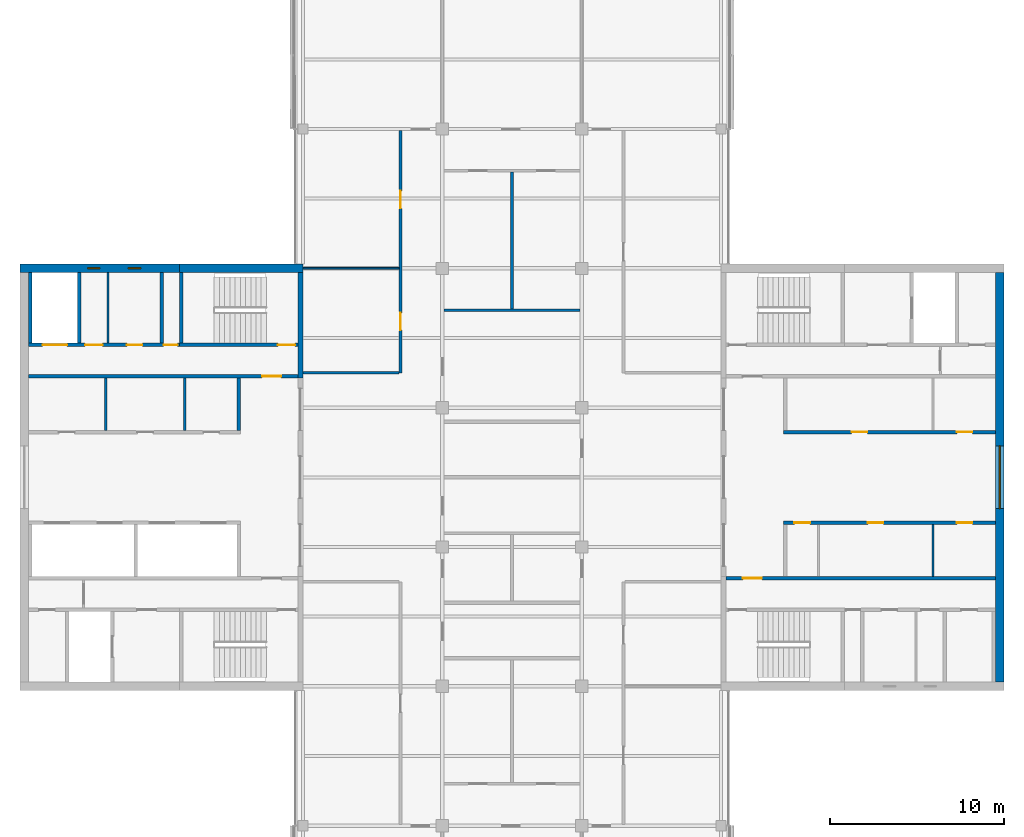
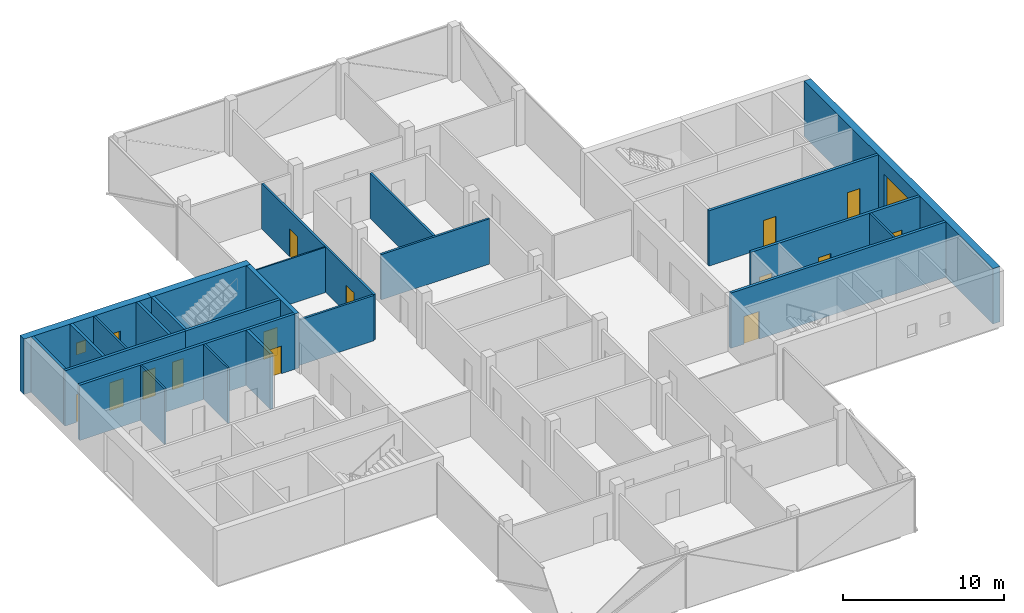
# One storey, part 11 of 16: 24 walls, 14 doors, 3 windows, 17 openings.
"""IFC4 building model written with IfcOpenShell, lengths in metres."""

from ifc_helpers import new_model, si_unit, direction, frame, frame_2d, origin, place, context, subcontext, project, spatial, rectangle, extrude, material, layer, layer_set, constituent, constituent_set, type_object, element, fill, save


model = new_model("IFC4")

# Units and contexts
model_context = context("Model", 3, precision=1e-05, world=origin(), true_north=direction((0.0, 1.0)))
body_context = subcontext(model_context, "Body", "Model", "MODEL_VIEW")
ifc_project = project(units=[si_unit("LENGTHUNIT", "METRE"), si_unit("AREAUNIT", "SQUARE_METRE"), si_unit("VOLUMEUNIT", "CUBIC_METRE"), si_unit("PLANEANGLEUNIT", "RADIAN"), si_unit("MASSUNIT", "GRAM", prefix="KILO")], contexts=[model_context])

# Site, building, storey
site_placement = place(None, origin())
site = spatial("IfcSite", under=ifc_project, at=site_placement, CompositionType="ELEMENT")
building_placement = place(site_placement, origin())
building = spatial("IfcBuilding", under=site, at=building_placement, Name="Crosswind Convention Tower", CompositionType="ELEMENT")
storey_placement = place(building_placement, frame((0.0, 0.0, 249.300048828125)))
storey = spatial("IfcBuildingStorey", under=building, at=storey_placement, Name="L53", CompositionType="ELEMENT", Elevation=249.300048828125)

# Walls
ifc_material_1 = material(Name="Concrete blockwork", Category="masonry")
ifc_layer_1 = layer(ifc_material_1, 0.199951171875)
ifc_layer_set_1 = layer_set([ifc_layer_1], Name="Blockwork partition wall 200")
wall_type_1 = type_object("IfcWallType", Name="Blockwork partition wall 200", PredefinedType="PARTITIONING", material=ifc_layer_set_1)
wall_1_placement = place(storey_placement, frame((104.89990234375, 111.75, 0.0), z_axis=(0.0, 0.0, 1.0), x_axis=(0.0, -1.0, 0.0)))
element("IfcWall", 1, at=wall_1_placement, inside=storey, type_object=wall_type_1, Name="Wall MRSE W L53", PredefinedType="PARTITIONING", context=body_context, shape_type="SweptSolid", body=[
    extrude(rectangle(XDim=4.050048828125, YDim=0.199951171875, at=frame_2d((2.02490234375, 0.0))), origin(), (0.0, 0.0, 1.0), 4.199951171875),
])
ifc_material_2 = material(Name="Concrete C50/60", Category="concrete")
ifc_layer_2 = layer(ifc_material_2, 0.300048828125)
ifc_layer_set_2 = layer_set([ifc_layer_2], Name="Concrete C50/60")
wall_type_2 = type_object("IfcWallType", Name="Concrete inner core wall 300", PredefinedType="SHEAR", material=ifc_layer_set_2)
wall_2_placement = place(storey_placement, frame((112.85009765625, 111.75, 0.0), z_axis=(0.0, 0.0, 1.0), x_axis=(0.0, -1.0, 0.0)))
element("IfcWall", 2, at=wall_2_placement, inside=storey, type_object=wall_type_2, Name="Wall EM W L53", PredefinedType="SHEAR", context=body_context, shape_type="SweptSolid", body=[
    extrude(rectangle(XDim=6.050048828125, YDim=0.300048828125, at=frame_2d((3.02490234375, 0.0))), origin(), (0.0, 0.0, 1.0), 4.199951171875),
])

# Wall, openings, doors
ifc_layer_3 = layer(ifc_material_2, 0.199951171875)
ifc_layer_set_3 = layer_set([ifc_layer_3], Name="Concrete C50/60")
wall_type_3 = type_object("IfcWallType", Name="Concrete shaft and stair wall 200", PredefinedType="SHEAR", material=ifc_layer_set_3)
wall_3_placement = place(storey_placement, frame((140.60009765625, 102.60009765625, 0.0), z_axis=(0.0, 0.0, 1.0), x_axis=(1.0, 0.0, 0.0)))
wall_3 = element("IfcWall", 3, at=wall_3_placement, inside=storey, type_object=wall_type_3, Name="Wall RPFRONT E L53", PredefinedType="SHEAR", context=body_context, shape_type="SweptSolid", body=[
    extrude(rectangle(XDim=12.14990234375, YDim=0.199951171875, at=frame_2d((6.074951171875, 0.0))), origin(), (0.0, 0.0, 1.0), 4.199951171875),
])
opening_1_placement = place(wall_3_placement, frame((3.9013671875, 0.0, 0.0)))
opening_1 = element("IfcOpeningElement", 4, at=opening_1_placement, cuts=wall_3, Name="Opening D106", PredefinedType="OPENING", context=body_context, shape_type="SweptSolid", body=[
    extrude(rectangle(XDim=0.89990234375, YDim=2.10009765625, at=frame_2d((0.449951171875, 1.050048828125))), frame((0.0, 0.10986328125, 0.0), z_axis=(0.0, -1.0, 0.0), x_axis=(1.0, 0.0, 0.0)), (0.0, 0.0, 1.0), 0.219970703125),
])
opening_2_placement = place(wall_3_placement, frame((9.938720703125, 0.0, 0.0)))
opening_2 = element("IfcOpeningElement", 5, at=opening_2_placement, cuts=wall_3, Name="Opening D106", PredefinedType="OPENING", context=body_context, shape_type="SweptSolid", body=[
    extrude(rectangle(XDim=0.89990234375, YDim=2.10009765625, at=frame_2d((0.449951171875, 1.050048828125))), frame((0.0, 0.10986328125, 0.0), z_axis=(0.0, -1.0, 0.0), x_axis=(1.0, 0.0, 0.0)), (0.0, 0.0, 1.0), 0.219970703125),
])
ifc_material_3 = material(Name="Timber door", Category="wood")
door_type_1 = type_object("IfcDoorType", Name="Single leaf door 900x2100", OperationType="NOTDEFINED", PredefinedType="DOOR", material=ifc_material_3)
door_1_placement = place(opening_1_placement, origin())
door_1 = element("IfcDoor", 6, at=door_1_placement, inside=storey, type_object=door_type_1, Name="Door to telecoms room L53", ObjectType="D106", OperationType="SINGLE_SWING_RIGHT", OverallHeight=2.10009765625, OverallWidth=0.89990234375, PredefinedType="DOOR", context=body_context, shape_type="SweptSolid", body=[
    extrude(rectangle(XDim=0.89990234375, YDim=2.10009765625, at=frame_2d((0.449951171875, 1.050048828125))), frame((0.0, 0.02490234375, 0.0), z_axis=(0.0, -1.0, 0.0), x_axis=(1.0, 0.0, 0.0)), (0.0, 0.0, 1.0), 0.050048828125),
])
fill(opening_1, door_1)
door_2_placement = place(opening_2_placement, origin())
door_2 = element("IfcDoor", 7, at=door_2_placement, inside=storey, type_object=door_type_1, Name="Door to storeroom L53", ObjectType="D106", OperationType="SINGLE_SWING_RIGHT", OverallHeight=2.10009765625, OverallWidth=0.89990234375, PredefinedType="DOOR", context=body_context, shape_type="SweptSolid", body=[
    extrude(rectangle(XDim=0.89990234375, YDim=2.10009765625, at=frame_2d((0.449951171875, 1.050048828125))), frame((0.0, 0.02490234375, 0.0), z_axis=(0.0, -1.0, 0.0), x_axis=(1.0, 0.0, 0.0)), (0.0, 0.0, 1.0), 0.050048828125),
])
fill(opening_2, door_2)

wall_4_placement = place(storey_placement, frame((140.60009765625, 97.39990234375, 0.0), z_axis=(0.0, 0.0, 1.0), x_axis=(1.0, 0.0, 0.0)))
wall_4 = element("IfcWall", 8, at=wall_4_placement, inside=storey, type_object=wall_type_3, Name="Wall RMFRONT E L53", PredefinedType="SHEAR", context=body_context, shape_type="SweptSolid", body=[
    extrude(rectangle(XDim=12.14990234375, YDim=0.199951171875, at=frame_2d((6.074951171875, 0.0))), origin(), (0.0, 0.0, 1.0), 4.199951171875),
])
opening_3_placement = place(wall_4_placement, frame((0.614990234375, 0.0, 0.0)))
opening_3 = element("IfcOpeningElement", 9, at=opening_3_placement, cuts=wall_4, Name="Opening D106", PredefinedType="OPENING", context=body_context, shape_type="SweptSolid", body=[
    extrude(rectangle(XDim=0.89990234375, YDim=2.10009765625, at=frame_2d((0.449951171875, 1.050048828125))), frame((0.0, 0.10986328125, 0.0), z_axis=(0.0, -1.0, 0.0), x_axis=(1.0, 0.0, 0.0)), (0.0, 0.0, 1.0), 0.219970703125),
])
opening_4_placement = place(wall_4_placement, frame((4.828857421875, 0.0, 0.0)))
opening_4 = element("IfcOpeningElement", 10, at=opening_4_placement, cuts=wall_4, Name="Opening D106", PredefinedType="OPENING", context=body_context, shape_type="SweptSolid", body=[
    extrude(rectangle(XDim=0.89990234375, YDim=2.10009765625, at=frame_2d((0.449951171875, 1.050048828125))), frame((0.0, 0.10986328125, 0.0), z_axis=(0.0, -1.0, 0.0), x_axis=(1.0, 0.0, 0.0)), (0.0, 0.0, 1.0), 0.219970703125),
])
opening_5_placement = place(wall_4_placement, frame((9.938720703125, 0.0, 0.0)))
opening_5 = element("IfcOpeningElement", 11, at=opening_5_placement, cuts=wall_4, Name="Opening D106", PredefinedType="OPENING", context=body_context, shape_type="SweptSolid", body=[
    extrude(rectangle(XDim=0.89990234375, YDim=2.10009765625, at=frame_2d((0.449951171875, 1.050048828125))), frame((0.0, 0.10986328125, 0.0), z_axis=(0.0, -1.0, 0.0), x_axis=(1.0, 0.0, 0.0)), (0.0, 0.0, 1.0), 0.219970703125),
])
door_3_placement = place(opening_3_placement, frame((0.89990234375, 0.0, 0.0), z_axis=(0.0, 0.0, 1.0), x_axis=(-1.0, 0.0, 0.0)))
door_3 = element("IfcDoor", 12, at=door_3_placement, inside=storey, type_object=door_type_1, Name="Door to storeroom L53", ObjectType="D106", OperationType="SINGLE_SWING_LEFT", OverallHeight=2.10009765625, OverallWidth=0.89990234375, PredefinedType="DOOR", context=body_context, shape_type="SweptSolid", body=[
    extrude(rectangle(XDim=0.89990234375, YDim=2.10009765625, at=frame_2d((0.449951171875, 1.050048828125))), frame((0.0, 0.02490234375, 0.0), z_axis=(0.0, -1.0, 0.0), x_axis=(1.0, 0.0, 0.0)), (0.0, 0.0, 1.0), 0.050048828125),
])
fill(opening_3, door_3)
door_4_placement = place(opening_4_placement, frame((0.89990234375, 0.0, 0.0), z_axis=(0.0, 0.0, 1.0), x_axis=(-1.0, 0.0, 0.0)))
door_4 = element("IfcDoor", 13, at=door_4_placement, inside=storey, type_object=door_type_1, Name="Door to tenant services room L53", ObjectType="D106", OperationType="SINGLE_SWING_LEFT", OverallHeight=2.10009765625, OverallWidth=0.89990234375, PredefinedType="DOOR", context=body_context, shape_type="SweptSolid", body=[
    extrude(rectangle(XDim=0.89990234375, YDim=2.10009765625, at=frame_2d((0.449951171875, 1.050048828125))), frame((0.0, 0.02490234375, 0.0), z_axis=(0.0, -1.0, 0.0), x_axis=(1.0, 0.0, 0.0)), (0.0, 0.0, 1.0), 0.050048828125),
])
fill(opening_4, door_4)
door_5_placement = place(opening_5_placement, frame((0.89990234375, 0.0, 0.0), z_axis=(0.0, 0.0, 1.0), x_axis=(-1.0, 0.0, 0.0)))
door_5 = element("IfcDoor", 14, at=door_5_placement, inside=storey, type_object=door_type_1, Name="Door to copy and print room L53", ObjectType="D106", OperationType="SINGLE_SWING_LEFT", OverallHeight=2.10009765625, OverallWidth=0.89990234375, PredefinedType="DOOR", context=body_context, shape_type="SweptSolid", body=[
    extrude(rectangle(XDim=0.89990234375, YDim=2.10009765625, at=frame_2d((0.449951171875, 1.050048828125))), frame((0.0, 0.02490234375, 0.0), z_axis=(0.0, -1.0, 0.0), x_axis=(1.0, 0.0, 0.0)), (0.0, 0.0, 1.0), 0.050048828125),
])
fill(opening_5, door_5)

# Wall, opening, door
wall_5_placement = place(storey_placement, frame((137.300048828125, 94.199951171875, 0.0), z_axis=(0.0, 0.0, 1.0), x_axis=(1.0, 0.0, 0.0)))
wall_5 = element("IfcWall", 15, at=wall_5_placement, inside=storey, type_object=wall_type_3, Name="Wall HM E L53", PredefinedType="SHEAR", context=body_context, shape_type="SweptSolid", body=[
    extrude(rectangle(XDim=15.449951171875, YDim=0.199951171875, at=frame_2d((7.72509765625, 0.0))), origin(), (0.0, 0.0, 1.0), 4.199951171875),
])
opening_6_placement = place(wall_5_placement, frame((0.949951171875, 0.0, 0.0)))
opening_6 = element("IfcOpeningElement", 16, at=opening_6_placement, cuts=wall_5, Name="Opening D104", PredefinedType="OPENING", context=body_context, shape_type="SweptSolid", body=[
    extrude(rectangle(XDim=1.10009765625, YDim=2.10009765625, at=frame_2d((0.550048828125, 1.050048828125))), frame((0.0, 0.10986328125, 0.0), z_axis=(0.0, -1.0, 0.0), x_axis=(1.0, 0.0, 0.0)), (0.0, 0.0, 1.0), 0.219970703125),
])
ifc_material_4 = material(Name="Steel fire door", Category="steel")
door_type_2 = type_object("IfcDoorType", Name="Fire-rated single door 1100x2100", OperationType="NOTDEFINED", PredefinedType="DOOR", material=ifc_material_4)
door_6_placement = place(opening_6_placement, origin())
door_6 = element("IfcDoor", 17, at=door_6_placement, inside=storey, type_object=door_type_2, Name="Corridor door L53", ObjectType="D104", OperationType="SINGLE_SWING_LEFT", OverallHeight=2.10009765625, OverallWidth=1.10009765625, PredefinedType="DOOR", context=body_context, shape_type="SweptSolid", body=[
    extrude(rectangle(XDim=1.10009765625, YDim=2.10009765625, at=frame_2d((0.550048828125, 1.050048828125))), frame((0.0, 0.02490234375, 0.0), z_axis=(0.0, -1.0, 0.0), x_axis=(1.0, 0.0, 0.0)), (0.0, 0.0, 1.0), 0.050048828125),
])
fill(opening_6, door_6)

# Wall
wall_6_placement = place(storey_placement, frame((109.300048828125, 105.699951171875, 0.0), z_axis=(0.0, 0.0, 1.0), x_axis=(0.0, -1.0, 0.0)))
element("IfcWall", 18, at=wall_6_placement, inside=storey, type_object=wall_type_3, Name="Wall RMEND W L53", PredefinedType="SHEAR", context=body_context, shape_type="SweptSolid", body=[
    extrude(rectangle(XDim=3.0, YDim=0.199951171875, at=frame_2d((1.5, 0.0))), origin(), (0.0, 0.0, 1.0), 4.199951171875),
])

# Wall, opening, door
wall_7_placement = place(storey_placement, frame((112.699951171875, 105.800048828125, 0.0), z_axis=(0.0, 0.0, 1.0), x_axis=(-1.0, 0.0, 0.0)))
wall_7 = element("IfcWall", 19, at=wall_7_placement, inside=storey, type_object=wall_type_3, Name="Wall HM W L53", PredefinedType="SHEAR", context=body_context, shape_type="SweptSolid", body=[
    extrude(rectangle(XDim=15.449951171875, YDim=0.199951171875, at=frame_2d((7.72509765625, 0.0))), origin(), (0.0, 0.0, 1.0), 4.199951171875),
])
opening_7_placement = place(wall_7_placement, frame((0.949951171875, 0.0, 0.0)))
opening_7 = element("IfcOpeningElement", 20, at=opening_7_placement, cuts=wall_7, Name="Opening D104", PredefinedType="OPENING", context=body_context, shape_type="SweptSolid", body=[
    extrude(rectangle(XDim=1.10009765625, YDim=2.10009765625, at=frame_2d((0.550048828125, 1.050048828125))), frame((0.0, 0.10986328125, 0.0), z_axis=(0.0, -1.0, 0.0), x_axis=(1.0, 0.0, 0.0)), (0.0, 0.0, 1.0), 0.219970703125),
])
door_7_placement = place(opening_7_placement, origin())
door_7 = element("IfcDoor", 21, at=door_7_placement, inside=storey, type_object=door_type_2, Name="Corridor door L53", ObjectType="D104", OperationType="SINGLE_SWING_LEFT", OverallHeight=2.10009765625, OverallWidth=1.10009765625, PredefinedType="DOOR", context=body_context, shape_type="SweptSolid", body=[
    extrude(rectangle(XDim=1.10009765625, YDim=2.10009765625, at=frame_2d((0.550048828125, 1.050048828125))), frame((0.0, 0.02490234375, 0.0), z_axis=(0.0, -1.0, 0.0), x_axis=(1.0, 0.0, 0.0)), (0.0, 0.0, 1.0), 0.050048828125),
])
fill(opening_7, door_7)

# Walls
for number, where, z_axis, x_axis, name in (
    (22, (106.0, 111.75, 0.0), (0.0, 0.0, 1.0), (0.0, -1.0, 0.0), "Wall MSE W L53"),
    (23, (100.14990234375, 111.75, 0.0), (0.0, 0.0, 1.0), (0.0, -1.0, 0.0), "Wall MFSW W L53"),
    (24, (97.35009765625, 111.75, 0.0), (0.0, 0.0, 1.0), (0.0, -1.0, 0.0), "Wall MFSE W L53"),
):
    element("IfcWall", number, at=place(storey_placement, frame(where, z_axis=z_axis, x_axis=x_axis)), inside=storey, type_object=wall_type_3, Name=name, PredefinedType="SHEAR", context=body_context, shape_type="SweptSolid", body=[
        extrude(rectangle(XDim=4.050048828125, YDim=0.199951171875, at=frame_2d((2.02490234375, 0.0))), origin(), (0.0, 0.0, 1.0), 4.199951171875),
    ])

# Wall, opening, door
wall_8_placement = place(storey_placement, frame((112.699951171875, 107.60009765625, 0.0), z_axis=(0.0, 0.0, 1.0), x_axis=(-1.0, 0.0, 0.0)))
wall_8 = element("IfcWall", 25, at=wall_8_placement, inside=storey, type_object=wall_type_3, Name="Wall MCW W L53", PredefinedType="SHEAR", context=body_context, shape_type="SweptSolid", body=[
    extrude(rectangle(XDim=6.800048828125, YDim=0.199951171875, at=frame_2d((3.39990234375, 0.0))), origin(), (0.0, 0.0, 1.0), 4.199951171875),
])
opening_8_placement = place(wall_8_placement, frame((0.14990234375, 0.0, 0.0)))
opening_8 = element("IfcOpeningElement", 26, at=opening_8_placement, cuts=wall_8, Name="Opening D103", PredefinedType="OPENING", context=body_context, shape_type="SweptSolid", body=[
    extrude(rectangle(XDim=1.0, YDim=2.10009765625, at=frame_2d((0.5, 1.050048828125))), frame((0.0, 0.10986328125, 0.0), z_axis=(0.0, -1.0, 0.0), x_axis=(1.0, 0.0, 0.0)), (0.0, 0.0, 1.0), 0.219970703125),
])
door_type_3 = type_object("IfcDoorType", Name="Fire-rated single door 1000x2100", OperationType="NOTDEFINED", PredefinedType="DOOR", material=ifc_material_4)
door_8_placement = place(opening_8_placement, frame((1.0, 0.0, 0.0), z_axis=(0.0, 0.0, 1.0), x_axis=(-1.0, 0.0, 0.0)))
door_8 = element("IfcDoor", 27, at=door_8_placement, inside=storey, type_object=door_type_3, Name="Stair ST4 door L53", ObjectType="D103", OperationType="SINGLE_SWING_RIGHT", OverallHeight=2.10009765625, OverallWidth=1.0, PredefinedType="DOOR", context=body_context, shape_type="SweptSolid", body=[
    extrude(rectangle(XDim=1.0, YDim=2.10009765625, at=frame_2d((0.5, 1.050048828125))), frame((0.0, 0.02490234375, 0.0), z_axis=(0.0, -1.0, 0.0), x_axis=(1.0, 0.0, 0.0)), (0.0, 0.0, 1.0), 0.050048828125),
])
fill(opening_8, door_8)

# Wall, openings, doors
wall_9_placement = place(storey_placement, frame((105.89990234375, 107.60009765625, 0.0), z_axis=(0.0, 0.0, 1.0), x_axis=(-1.0, 0.0, 0.0)))
wall_9 = element("IfcWall", 28, at=wall_9_placement, inside=storey, type_object=wall_type_3, Name="Wall MCX W L53", PredefinedType="SHEAR", context=body_context, shape_type="SweptSolid", body=[
    extrude(rectangle(XDim=8.64990234375, YDim=0.199951171875, at=frame_2d((4.324951171875, 0.0))), origin(), (0.0, 0.0, 1.0), 4.199951171875),
])
opening_9_placement = place(wall_9_placement, frame((0.10009765625, 0.0, 0.0)))
opening_9 = element("IfcOpeningElement", 29, at=opening_9_placement, cuts=wall_9, Name="Opening D105", PredefinedType="OPENING", context=body_context, shape_type="SweptSolid", body=[
    extrude(rectangle(XDim=0.800048828125, YDim=2.10009765625, at=frame_2d((0.39990234375, 1.050048828125))), frame((0.0, 0.10986328125, 0.0), z_axis=(0.0, -1.0, 0.0), x_axis=(1.0, 0.0, 0.0)), (0.0, 0.0, 1.0), 0.219970703125),
])
opening_10_placement = place(wall_9_placement, frame((2.120361328125, 0.0, 0.0)))
opening_10 = element("IfcOpeningElement", 30, at=opening_10_placement, cuts=wall_9, Name="Opening D106", PredefinedType="OPENING", context=body_context, shape_type="SweptSolid", body=[
    extrude(rectangle(XDim=0.89990234375, YDim=2.10009765625, at=frame_2d((0.449951171875, 1.050048828125))), frame((0.0, 0.10986328125, 0.0), z_axis=(0.0, -1.0, 0.0), x_axis=(1.0, 0.0, 0.0)), (0.0, 0.0, 1.0), 0.219970703125),
])
opening_11_placement = place(wall_9_placement, frame((4.40771484375, 0.0, 0.0)))
opening_11 = element("IfcOpeningElement", 31, at=opening_11_placement, cuts=wall_9, Name="Opening D103", PredefinedType="OPENING", context=body_context, shape_type="SweptSolid", body=[
    extrude(rectangle(XDim=1.0, YDim=2.10009765625, at=frame_2d((0.5, 1.050048828125))), frame((0.0, 0.10986328125, 0.0), z_axis=(0.0, -1.0, 0.0), x_axis=(1.0, 0.0, 0.0)), (0.0, 0.0, 1.0), 0.219970703125),
])
opening_12_placement = place(wall_9_placement, frame((6.449951171875, 0.0, 0.0)))
opening_12 = element("IfcOpeningElement", 32, at=opening_12_placement, cuts=wall_9, Name="Opening LD2", PredefinedType="OPENING", context=body_context, shape_type="SweptSolid", body=[
    extrude(rectangle(XDim=1.39990234375, YDim=2.10009765625, at=frame_2d((0.699951171875, 1.050048828125))), frame((0.0, 0.10986328125, 0.0), z_axis=(0.0, -1.0, 0.0), x_axis=(1.0, 0.0, 0.0)), (0.0, 0.0, 1.0), 0.219970703125),
])
door_9_placement = place(opening_11_placement, frame((1.0, 0.0, 0.0), z_axis=(0.0, 0.0, 1.0), x_axis=(-1.0, 0.0, 0.0)))
door_9 = element("IfcDoor", 33, at=door_9_placement, inside=storey, type_object=door_type_3, Name="Door to accessible wc L53", ObjectType="D103", OperationType="SINGLE_SWING_LEFT", OverallHeight=2.10009765625, OverallWidth=1.0, PredefinedType="DOOR", context=body_context, shape_type="SweptSolid", body=[
    extrude(rectangle(XDim=1.0, YDim=2.10009765625, at=frame_2d((0.5, 1.050048828125))), frame((0.0, 0.02490234375, 0.0), z_axis=(0.0, -1.0, 0.0), x_axis=(1.0, 0.0, 0.0)), (0.0, 0.0, 1.0), 0.050048828125),
])
fill(opening_11, door_9)
ifc_material_5 = material(Name="Stainless steel", Category="steel")
door_type_4 = type_object("IfcDoorType", Name="Lift landing door 1400x2100", OperationType="DOUBLE_DOOR_SLIDING", PredefinedType="DOOR", material=ifc_material_5)
door_10_placement = place(opening_12_placement, origin())
door_10 = element("IfcDoor", 34, at=door_10_placement, inside=storey, type_object=door_type_4, Name="Landing door SV2 L53", ObjectType="LD2", OperationType="DOUBLE_DOOR_SLIDING", OverallHeight=2.10009765625, OverallWidth=1.39990234375, PredefinedType="DOOR", context=body_context, shape_type="SweptSolid", body=[
    extrude(rectangle(XDim=1.39990234375, YDim=2.10009765625, at=frame_2d((0.699951171875, 1.050048828125))), frame((0.0, 0.02490234375, 0.0), z_axis=(0.0, -1.0, 0.0), x_axis=(1.0, 0.0, 0.0)), (0.0, 0.0, 1.0), 0.050048828125),
])
fill(opening_12, door_10)
door_type_5 = type_object("IfcDoorType", Name="Riser access door 800x2100", OperationType="NOTDEFINED", PredefinedType="DOOR", material=ifc_material_4)
door_11_placement = place(opening_9_placement, frame((0.800048828125, 0.0, 0.0), z_axis=(0.0, 0.0, 1.0), x_axis=(-1.0, 0.0, 0.0)))
door_11 = element("IfcDoor", 35, at=door_11_placement, inside=storey, type_object=door_type_5, Name="Riser door L53", ObjectType="D105", OperationType="SINGLE_SWING_LEFT", OverallHeight=2.10009765625, OverallWidth=0.800048828125, PredefinedType="DOOR", context=body_context, shape_type="SweptSolid", body=[
    extrude(rectangle(XDim=0.800048828125, YDim=2.10009765625, at=frame_2d((0.39990234375, 1.050048828125))), frame((0.0, 0.02490234375, 0.0), z_axis=(0.0, -1.0, 0.0), x_axis=(1.0, 0.0, 0.0)), (0.0, 0.0, 1.0), 0.050048828125),
])
fill(opening_9, door_11)
door_12_placement = place(opening_10_placement, frame((0.89990234375, 0.0, 0.0), z_axis=(0.0, 0.0, 1.0), x_axis=(-1.0, 0.0, 0.0)))
door_12 = element("IfcDoor", 36, at=door_12_placement, inside=storey, type_object=door_type_1, Name="Door to wc L53", ObjectType="D106", OperationType="SINGLE_SWING_LEFT", OverallHeight=2.10009765625, OverallWidth=0.89990234375, PredefinedType="DOOR", context=body_context, shape_type="SweptSolid", body=[
    extrude(rectangle(XDim=0.89990234375, YDim=2.10009765625, at=frame_2d((0.449951171875, 1.050048828125))), frame((0.0, 0.02490234375, 0.0), z_axis=(0.0, -1.0, 0.0), x_axis=(1.0, 0.0, 0.0)), (0.0, 0.0, 1.0), 0.050048828125),
])
fill(opening_10, door_12)

# Walls
ifc_material_6 = material(Name="Gypsum plasterboard partition", Category="gypsum")
ifc_layer_4 = layer(ifc_material_6, 0.125)
ifc_layer_set_4 = layer_set([ifc_layer_4], Name="Drywall partition wall 125")
wall_type_4 = type_object("IfcWallType", Name="Drywall partition wall 125", PredefinedType="PARTITIONING", material=ifc_layer_set_4)
for number, where, z_axis, x_axis, name in (
    (37, (149.1650390625, 94.300048828125, 0.0), (0.0, 0.0, 1.0), (0.0, 1.0, 0.0), "Wall RMP2 E L53"),
    (38, (106.21240234375, 105.699951171875, 0.0), (0.0, 0.0, 1.0), (0.0, -1.0, 0.0), "Wall RMP1 W L53"),
    (39, (101.67138671875, 105.699951171875, 0.0), (0.0, 0.0, 1.0), (0.0, -1.0, 0.0), "Wall RMP2 W L53"),
):
    element("IfcWall", number, at=place(storey_placement, frame(where, z_axis=z_axis, x_axis=x_axis)), inside=storey, type_object=wall_type_4, Name=name, PredefinedType="PARTITIONING", context=body_context, shape_type="SweptSolid", body=[
        extrude(rectangle(XDim=3.0, YDim=0.125, at=frame_2d((1.5, 0.0))), origin(), (0.0, 0.0, 1.0), 4.199951171875),
    ])
wall_10_placement = place(storey_placement, frame((101.797119140625, 111.75, 0.0), z_axis=(0.0, 0.0, 1.0), x_axis=(0.0, -1.0, 0.0)))
element("IfcWall", 40, at=wall_10_placement, inside=storey, type_object=wall_type_4, Name="Wall MWP1 W L53", PredefinedType="PARTITIONING", context=body_context, shape_type="SweptSolid", body=[
    extrude(rectangle(XDim=4.050048828125, YDim=0.125, at=frame_2d((2.02490234375, 0.0))), origin(), (0.0, 0.0, 1.0), 4.199951171875),
])
ifc_material_7 = material(Name="Plasterboard partition", Category="gypsum")
ifc_layer_5 = layer(ifc_material_7, 0.10009765625)
ifc_layer_set_5 = layer_set([ifc_layer_5], Name="PARTITION 100 METAL STUD")
wall_type_5 = type_object("IfcWallType", Name="PARTITION 100 METAL STUD", PredefinedType="PARTITIONING", material=ifc_layer_set_5)
wall_11_placement = place(storey_placement, frame((113.0, 112.0, 0.0), z_axis=(0.0, 0.0, 1.0), x_axis=(1.0, 0.0, 0.0)))
element("IfcWall", 41, at=wall_11_placement, inside=storey, type_object=wall_type_5, Name="Partition wall WT40", PredefinedType="PARTITIONING", context=body_context, shape_type="SweptSolid", body=[
    extrude(rectangle(XDim=5.52490234375, YDim=0.10009765625, at=frame_2d((2.762451171875, 0.0))), origin(), (0.0, 0.0, 1.0), 3.44287109375),
])

# Wall, openings, doors
ifc_material_8 = material(Name="Fire-board partition with mineral wool", Category="gypsum")
ifc_layer_6 = layer(ifc_material_8, 0.14990234375)
ifc_layer_set_6 = layer_set([ifc_layer_6], Name="TENANCY WALL 150 TWO-HOUR BOARD")
wall_type_6 = type_object("IfcWallType", Name="TENANCY WALL 150 TWO-HOUR BOARD", PredefinedType="PARTITIONING", material=ifc_layer_set_6)
wall_12_placement = place(storey_placement, frame((118.60009765625, 106.0, 0.0), z_axis=(0.0, 0.0, 1.0), x_axis=(0.0, 1.0, 0.0)))
wall_12 = element("IfcWall", 42, at=wall_12_placement, inside=storey, type_object=wall_type_6, Name="Tenancy wall WT41", PredefinedType="PARTITIONING", context=body_context, shape_type="SweptSolid", body=[
    extrude(rectangle(XDim=13.925048828125, YDim=0.14990234375, at=frame_2d((6.96240234375, 0.0))), origin(), (0.0, 0.0, 1.0), 3.44287109375),
])
opening_13_placement = place(wall_12_placement, frame((2.449951171875, 0.0, 0.0)))
opening_13 = element("IfcOpeningElement", 43, at=opening_13_placement, cuts=wall_12, Name="Opening L53-53", PredefinedType="OPENING", context=body_context, shape_type="SweptSolid", body=[
    extrude(rectangle(XDim=1.0, YDim=2.10009765625, at=frame_2d((0.5, 1.050048828125))), frame((0.0, 0.0849609375, 0.0), z_axis=(0.0, -1.0, 0.0), x_axis=(1.0, 0.0, 0.0)), (0.0, 0.0, 1.0), 0.169921875),
])
opening_14_placement = place(wall_12_placement, frame((9.449951171875, 0.0, 0.0)))
opening_14 = element("IfcOpeningElement", 44, at=opening_14_placement, cuts=wall_12, Name="Opening L53-54", PredefinedType="OPENING", context=body_context, shape_type="SweptSolid", body=[
    extrude(rectangle(XDim=1.0, YDim=2.10009765625, at=frame_2d((0.5, 1.050048828125))), frame((0.0, 0.0849609375, 0.0), z_axis=(0.0, -1.0, 0.0), x_axis=(1.0, 0.0, 0.0)), (0.0, 0.0, 1.0), 0.169921875),
])
ifc_material_9 = material(Name="Timber fire door", Category="wood")
door_type_6 = type_object("IfcDoorType", Name="TENANCY ENTRANCE DOOR 1000X2100 FD30S", OperationType="NOTDEFINED", PredefinedType="DOOR", material=ifc_material_9)
door_13_placement = place(opening_13_placement, origin())
door_13 = element("IfcDoor", 45, at=door_13_placement, inside=storey, type_object=door_type_6, Name="Door L53-53", ObjectType="D41", OperationType="SINGLE_SWING_LEFT", OverallHeight=2.10009765625, OverallWidth=1.0, PredefinedType="DOOR", context=body_context, shape_type="SweptSolid", body=[
    extrude(rectangle(XDim=1.0, YDim=2.10009765625, at=frame_2d((0.5, 1.050048828125))), frame((0.0, 0.02490234375, 0.0), z_axis=(0.0, -1.0, 0.0), x_axis=(1.0, 0.0, 0.0)), (0.0, 0.0, 1.0), 0.050048828125),
])
fill(opening_13, door_13)
door_14_placement = place(opening_14_placement, origin())
door_14 = element("IfcDoor", 46, at=door_14_placement, inside=storey, type_object=door_type_6, Name="Door L53-54", ObjectType="D41", OperationType="SINGLE_SWING_LEFT", OverallHeight=2.10009765625, OverallWidth=1.0, PredefinedType="DOOR", context=body_context, shape_type="SweptSolid", body=[
    extrude(rectangle(XDim=1.0, YDim=2.10009765625, at=frame_2d((0.5, 1.050048828125))), frame((0.0, 0.02490234375, 0.0), z_axis=(0.0, -1.0, 0.0), x_axis=(1.0, 0.0, 0.0)), (0.0, 0.0, 1.0), 0.050048828125),
])
fill(opening_14, door_14)

# Walls
wall_13_placement = place(storey_placement, frame((125.0, 109.675048828125, 0.0), z_axis=(0.0, 0.0, 1.0), x_axis=(0.0, 1.0, 0.0)))
element("IfcWall", 47, at=wall_13_placement, inside=storey, type_object=wall_type_6, Name="Tenancy wall WT41", PredefinedType="PARTITIONING", context=body_context, shape_type="SweptSolid", body=[
    extrude(rectangle(XDim=7.849853515625, YDim=0.14990234375, at=frame_2d((3.9248046875, 0.0))), origin(), (0.0, 0.0, 1.0), 3.44287109375),
])
wall_14_placement = place(storey_placement, frame((113.0, 106.0, 0.0), z_axis=(0.0, 0.0, 1.0), x_axis=(1.0, 0.0, 0.0)))
element("IfcWall", 48, at=wall_14_placement, inside=storey, type_object=wall_type_6, Name="Tenancy wall WT41", PredefinedType="PARTITIONING", context=body_context, shape_type="SweptSolid", body=[
    extrude(rectangle(XDim=5.52490234375, YDim=0.14990234375, at=frame_2d((2.762451171875, 0.0))), origin(), (0.0, 0.0, 1.0), 3.44287109375),
])
wall_15_placement = place(storey_placement, frame((121.10009765625, 109.60009765625, 0.0), z_axis=(0.0, 0.0, 1.0), x_axis=(1.0, 0.0, 0.0)))
element("IfcWall", 49, at=wall_15_placement, inside=storey, type_object=wall_type_6, Name="Tenancy wall WT41", PredefinedType="PARTITIONING", context=body_context, shape_type="SweptSolid", body=[
    extrude(rectangle(XDim=7.7998046875, YDim=0.14990234375, at=frame_2d((3.89990234375, 0.0))), origin(), (0.0, 0.0, 1.0), 3.44287109375),
])

# Wall, opening, window
ifc_material_10 = material(Name="Concrete C60/75", Category="concrete")
ifc_constituent_1 = constituent(ifc_material_10, Name="Structure")
ifc_material_11 = material(Name="Terracotta rainscreen", Category="ceramic")
ifc_constituent_2 = constituent(ifc_material_11, Name="Facing")
ifc_constituent_set = constituent_set(constituents=[ifc_constituent_1, ifc_constituent_2], Name="Concrete C60/75, Terracotta rainscreen")
wall_type_7 = type_object("IfcWallType", Name="Terracotta rainscreen on concrete core wall 500", PredefinedType="SHEAR", material=ifc_constituent_set)
wall_16_placement = place(storey_placement, frame((153.0, 88.25, 0.0), z_axis=(0.0, 0.0, 1.0), x_axis=(0.0, 1.0, 0.0)))
wall_16 = element("IfcWall", 50, at=wall_16_placement, inside=storey, type_object=wall_type_7, Name="Wall O E L53", PredefinedType="SHEAR", context=body_context, shape_type="SweptSolid", body=[
    extrude(rectangle(XDim=23.5, YDim=0.5, at=frame_2d((11.75, 0.0))), origin(), (0.0, 0.0, 1.0), 4.199951171875),
])
opening_15_placement = place(wall_16_placement, frame((9.949951171875, 0.0, 0.14990234375)))
opening_15 = element("IfcOpeningElement", 51, at=opening_15_placement, cuts=wall_16, Name="Opening W1", PredefinedType="OPENING", context=body_context, shape_type="SweptSolid", body=[
    extrude(rectangle(XDim=3.60009765625, YDim=3.0, at=frame_2d((1.800048828125, 1.5))), frame((0.0, 0.260009765625, 0.0), z_axis=(0.0, -1.0, 0.0), x_axis=(1.0, 0.0, 0.0)), (0.0, 0.0, 1.0), 0.52001953125),
])
ifc_material_12 = material(Name="Clear laminated glass in aluminium frame", Category="aluminium")
window_type_1 = type_object("IfcWindowType", Name="Lobby end window 3600x3000", PartitioningType="SINGLE_PANEL", PredefinedType="WINDOW", material=ifc_material_12)
window_1_placement = place(opening_15_placement, origin())
window_1 = element("IfcWindow", 52, at=window_1_placement, inside=storey, type_object=window_type_1, Name="Lobby end window L53", ObjectType="W1", OverallHeight=3.0, OverallWidth=3.60009765625, PartitioningType="SINGLE_PANEL", PredefinedType="WINDOW", context=body_context, shape_type="SweptSolid", body=[
    extrude(rectangle(XDim=3.60009765625, YDim=3.0, at=frame_2d((1.800048828125, 1.5))), frame((0.0, 0.030029296875, 0.0), z_axis=(0.0, -1.0, 0.0), x_axis=(1.0, 0.0, 0.0)), (0.0, 0.0, 1.0), 0.06005859375),
])
fill(opening_15, window_1)

# Wall
wall_17_placement = place(storey_placement, frame((113.0, 112.0, 0.0), z_axis=(0.0, 0.0, 1.0), x_axis=(-1.0, 0.0, 0.0)))
element("IfcWall", 53, at=wall_17_placement, inside=storey, type_object=wall_type_7, Name="Wall S1 W L53", PredefinedType="SHEAR", context=body_context, shape_type="SweptSolid", body=[
    extrude(rectangle(XDim=7.10009765625, YDim=0.5, at=frame_2d((3.550048828125, 0.0))), origin(), (0.0, 0.0, 1.0), 4.199951171875),
])

# Wall, openings, windows
wall_18_placement = place(storey_placement, frame((105.89990234375, 112.0, 0.0), z_axis=(0.0, 0.0, 1.0), x_axis=(-1.0, 0.0, 0.0)))
wall_18 = element("IfcWall", 54, at=wall_18_placement, inside=storey, type_object=wall_type_7, Name="Wall S2 W L53", PredefinedType="SHEAR", context=body_context, shape_type="SweptSolid", body=[
    extrude(rectangle(XDim=9.14990234375, YDim=0.5, at=frame_2d((4.574951171875, 0.0))), origin(), (0.0, 0.0, 1.0), 4.199951171875),
])
opening_16_placement = place(wall_18_placement, frame((2.22021484375, 0.0, 1.5)))
opening_16 = element("IfcOpeningElement", 55, at=opening_16_placement, cuts=wall_18, Name="Opening W2", PredefinedType="OPENING", context=body_context, shape_type="SweptSolid", body=[
    extrude(rectangle(XDim=0.699951171875, YDim=0.89990234375, at=frame_2d((0.35009765625, 0.449951171875))), frame((0.0, 0.260009765625, 0.0), z_axis=(0.0, -1.0, 0.0), x_axis=(1.0, 0.0, 0.0)), (0.0, 0.0, 1.0), 0.52001953125),
])
opening_17_placement = place(wall_18_placement, frame((4.557861328125, 0.0, 1.5)))
opening_17 = element("IfcOpeningElement", 56, at=opening_17_placement, cuts=wall_18, Name="Opening W2", PredefinedType="OPENING", context=body_context, shape_type="SweptSolid", body=[
    extrude(rectangle(XDim=0.699951171875, YDim=0.89990234375, at=frame_2d((0.35009765625, 0.449951171875))), frame((0.0, 0.260009765625, 0.0), z_axis=(0.0, -1.0, 0.0), x_axis=(1.0, 0.0, 0.0)), (0.0, 0.0, 1.0), 0.52001953125),
])
ifc_material_13 = material(Name="Obscure glass in aluminium frame", Category="aluminium")
window_type_2 = type_object("IfcWindowType", Name="WC window 700x900", PartitioningType="SINGLE_PANEL", PredefinedType="WINDOW", material=ifc_material_13)
window_2_placement = place(opening_16_placement, origin())
window_2 = element("IfcWindow", 57, at=window_2_placement, inside=storey, type_object=window_type_2, Name="WC window L53", ObjectType="W2", OverallHeight=0.89990234375, OverallWidth=0.699951171875, PartitioningType="SINGLE_PANEL", PredefinedType="WINDOW", context=body_context, shape_type="SweptSolid", body=[
    extrude(rectangle(XDim=0.699951171875, YDim=0.89990234375, at=frame_2d((0.35009765625, 0.449951171875))), frame((0.0, 0.030029296875, 0.0), z_axis=(0.0, -1.0, 0.0), x_axis=(1.0, 0.0, 0.0)), (0.0, 0.0, 1.0), 0.06005859375),
])
fill(opening_16, window_2)
window_3_placement = place(opening_17_placement, origin())
window_3 = element("IfcWindow", 58, at=window_3_placement, inside=storey, type_object=window_type_2, Name="WC window L53", ObjectType="W2", OverallHeight=0.89990234375, OverallWidth=0.699951171875, PartitioningType="SINGLE_PANEL", PredefinedType="WINDOW", context=body_context, shape_type="SweptSolid", body=[
    extrude(rectangle(XDim=0.699951171875, YDim=0.89990234375, at=frame_2d((0.35009765625, 0.449951171875))), frame((0.0, 0.030029296875, 0.0), z_axis=(0.0, -1.0, 0.0), x_axis=(1.0, 0.0, 0.0)), (0.0, 0.0, 1.0), 0.06005859375),
])
fill(opening_17, window_3)

save(model, "model.ifc")
